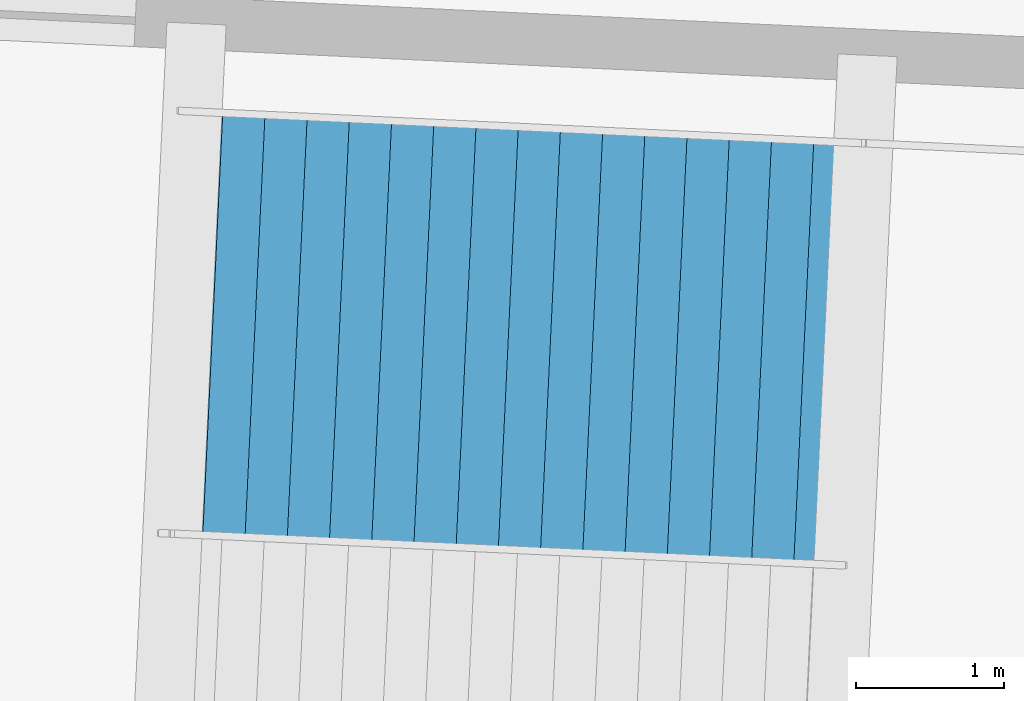
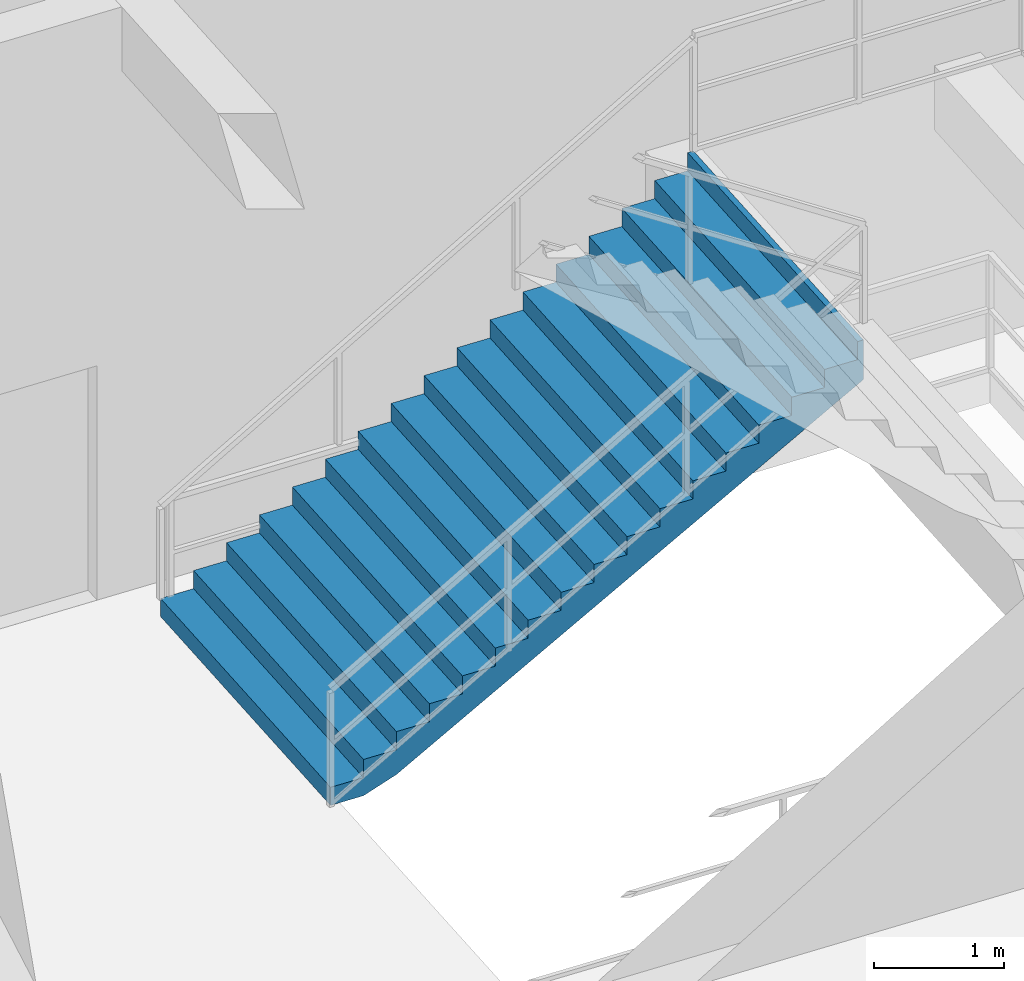
# One storey, part 24 of 48: 1 stair flight, 1 element without a shape of its own.
"""IFC4 building model written with IfcOpenShell, lengths in metres."""

from ifc_helpers import new_model, si_unit, direction, frame, origin, place, context, subcontext, project, spatial, polygons, material, type_object, element, aggregate, save


model = new_model("IFC4")

# Units and contexts
model_context = context("Model", 3, precision=1e-05, world=origin(), true_north=direction((0.0, 1.0)))
body_context = subcontext(model_context, "Body", "Model", "MODEL_VIEW")
ifc_project = project(units=[si_unit("LENGTHUNIT", "METRE"), si_unit("AREAUNIT", "SQUARE_METRE"), si_unit("VOLUMEUNIT", "CUBIC_METRE"), si_unit("PLANEANGLEUNIT", "RADIAN"), si_unit("MASSUNIT", "GRAM", prefix="KILO")], contexts=[model_context])

# Site, building, storey
site_placement = place(None, origin())
site = spatial("IfcSite", under=ifc_project, at=site_placement, CompositionType="ELEMENT")
building_placement = place(site_placement, origin())
building = spatial("IfcBuilding", under=site, at=building_placement, Name="Kazemori Nagisa Stadium", CompositionType="ELEMENT")
storey_placement = place(building_placement, origin())
storey = spatial("IfcBuildingStorey", under=building, at=storey_placement, Name="L00", CompositionType="ELEMENT", Elevation=0.0)

# Stair, stair flight
ifc_material = material(Name="Concrete C36/45 (Fc36)", Category="concrete")
stair_type = type_object("IfcStairType", Name="Stair_CORE_34", PredefinedType="TWO_STRAIGHT_RUN_STAIR", material=ifc_material)
stair_placement = place(storey_placement, origin())
stair = element("IfcStair", 1, at=stair_placement, inside=storey, type_object=stair_type, Name="Exit stair ST12 L00", PredefinedType="TWO_STRAIGHT_RUN_STAIR")
stair_flight_type = type_object("IfcStairFlightType", Name="Flight_CORE_17", PredefinedType="STRAIGHT", material=ifc_material)
stair_flight_placement = place(storey_placement, frame((107.177490234375, 24.015380859375, 0.0), z_axis=(0.0, 0.0, 1.0), x_axis=(0.998881904399, -0.047275163294, 0.0)))
stair_flight = element("IfcStairFlight", 2, at=stair_flight_placement, type_object=stair_flight_type, Name="Exit stair ST12 L00 flight 1", NumberOfRisers=17, NumberOfTreads=16, PredefinedType="STRAIGHT", RiserHeight=0.17, TreadLength=0.285, context=body_context, shape_type="Tessellation", body=[
    polygons([(0.0, -1.425048828125, 0.0), (0.0, -1.425048828125, 0.169921875), (0.284912109375, -1.425048828125, 0.169921875), (0.284912109375, -1.425048828125, 0.340087890625), (0.570068359375, -1.425048828125, 0.340087890625), (0.570068359375, -1.425048828125, 0.510009765625), (0.85498046875, -1.425048828125, 0.510009765625), (0.85498046875, -1.425048828125, 0.679931640625), (1.139892578125, -1.425048828125, 0.679931640625), (1.139892578125, -1.425048828125, 0.85009765625), (1.425048828125, -1.425048828125, 0.85009765625), (1.425048828125, -1.425048828125, 1.02001953125), (1.7099609375, -1.425048828125, 1.02001953125), (1.7099609375, -1.425048828125, 1.18994140625), (1.9951171875, -1.425048828125, 1.18994140625), (1.9951171875, -1.425048828125, 1.360107421875), (2.280029296875, -1.425048828125, 1.360107421875), (2.280029296875, -1.425048828125, 1.530029296875), (2.56494140625, -1.425048828125, 1.530029296875), (2.56494140625, -1.425048828125, 1.699951171875), (2.85009765625, -1.425048828125, 1.699951171875), (2.85009765625, -1.425048828125, 1.8701171875), (3.135009765625, -1.425048828125, 1.8701171875), (3.135009765625, -1.425048828125, 2.0400390625), (3.419921875, -1.425048828125, 2.0400390625), (3.419921875, -1.425048828125, 2.2099609375), (3.705078125, -1.425048828125, 2.2099609375), (3.705078125, -1.425048828125, 2.3798828125), (3.989990234375, -1.425048828125, 2.3798828125), (3.989990234375, -1.425048828125, 2.550048828125), (4.27490234375, -1.425048828125, 2.550048828125), (4.27490234375, -1.425048828125, 2.719970703125), (4.56005859375, -1.425048828125, 2.719970703125), (4.56005859375, -1.425048828125, 2.889892578125), (4.610107421875, -1.425048828125, 2.889892578125), (4.610107421875, -1.425048828125, 2.51708984375), (4.56005859375, -1.425048828125, 2.487060546875), (4.27490234375, -1.425048828125, 2.317138671875), (3.989990234375, -1.425048828125, 2.147216796875), (3.705078125, -1.425048828125, 1.977294921875), (3.419921875, -1.425048828125, 1.80712890625), (3.135009765625, -1.425048828125, 1.63720703125), (2.85009765625, -1.425048828125, 1.46728515625), (2.56494140625, -1.425048828125, 1.297119140625), (2.280029296875, -1.425048828125, 1.127197265625), (1.9951171875, -1.425048828125, 0.957275390625), (1.7099609375, -1.425048828125, 0.787109375), (1.425048828125, -1.425048828125, 0.6171875), (1.139892578125, -1.425048828125, 0.447265625), (0.85498046875, -1.425048828125, 0.277099609375), (0.570068359375, -1.425048828125, 0.107177734375), (0.284912109375, -1.425048828125, 0.0), (0.0, -0.08544921875, 0.0), (0.0, -0.08544921875, 0.169921875), (0.284912109375, -0.08544921875, 0.169921875), (0.284912109375, -0.08544921875, 0.340087890625), (0.570068359375, -0.08544921875, 0.340087890625), (0.570068359375, -0.08544921875, 0.510009765625), (0.85498046875, -0.08544921875, 0.510009765625), (0.85498046875, -0.08544921875, 0.679931640625), (1.139892578125, -0.08544921875, 0.679931640625), (1.139892578125, -0.08544921875, 0.85009765625), (1.425048828125, -0.08544921875, 0.85009765625), (1.425048828125, -0.08544921875, 1.02001953125), (1.7099609375, -0.08544921875, 1.02001953125), (1.7099609375, -0.08544921875, 1.18994140625), (1.9951171875, -0.08544921875, 1.18994140625), (1.9951171875, -0.08544921875, 1.360107421875), (2.280029296875, -0.08544921875, 1.360107421875), (2.280029296875, -0.08544921875, 1.530029296875), (2.56494140625, -0.08544921875, 1.530029296875), (2.56494140625, -0.08544921875, 1.699951171875), (2.85009765625, -0.08544921875, 1.699951171875), (2.85009765625, -0.08544921875, 1.8701171875), (3.135009765625, -0.08544921875, 1.8701171875), (3.135009765625, -0.08544921875, 2.0400390625), (3.419921875, -0.08544921875, 2.0400390625), (3.419921875, -0.08544921875, 2.2099609375), (3.705078125, -0.08544921875, 2.2099609375), (3.705078125, -0.08544921875, 2.3798828125), (3.989990234375, -0.08544921875, 2.3798828125), (3.989990234375, -0.08544921875, 2.550048828125), (4.27490234375, -0.08544921875, 2.550048828125), (4.27490234375, -0.08544921875, 2.719970703125), (4.56005859375, -0.08544921875, 2.719970703125), (4.56005859375, -0.08544921875, 2.889892578125), (4.610107421875, -0.08544921875, 2.889892578125), (4.610107421875, -0.08544921875, 2.51708984375), (4.56005859375, -0.08544921875, 2.487060546875), (4.27490234375, -0.08544921875, 2.317138671875), (3.989990234375, -0.08544921875, 2.147216796875), (3.705078125, -0.08544921875, 1.977294921875), (3.419921875, -0.08544921875, 1.80712890625), (3.135009765625, -0.08544921875, 1.63720703125), (2.85009765625, -0.08544921875, 1.46728515625), (2.56494140625, -0.08544921875, 1.297119140625), (2.280029296875, -0.08544921875, 1.127197265625), (1.9951171875, -0.08544921875, 0.957275390625), (1.7099609375, -0.08544921875, 0.787109375), (1.425048828125, -0.08544921875, 0.6171875), (1.139892578125, -0.08544921875, 0.447265625), (0.85498046875, -0.08544921875, 0.277099609375), (0.570068359375, -0.08544921875, 0.107177734375), (0.284912109375, -0.08544921875, 0.0), (0.0, 0.0, 0.0), (0.0, 0.0, 0.169921875), (0.284912109375, 0.0, 0.169921875), (0.284912109375, 0.0, 0.340087890625), (0.570068359375, 0.0, 0.340087890625), (0.570068359375, 0.0, 0.510009765625), (0.85498046875, 0.0, 0.510009765625), (0.85498046875, 0.0, 0.679931640625), (1.139892578125, 0.0, 0.679931640625), (1.139892578125, 0.0, 0.85009765625), (1.425048828125, 0.0, 0.85009765625), (1.425048828125, 0.0, 1.02001953125), (1.7099609375, 0.0, 1.02001953125), (1.7099609375, 0.0, 1.18994140625), (1.9951171875, 0.0, 1.18994140625), (1.9951171875, 0.0, 1.360107421875), (2.280029296875, 0.0, 1.360107421875), (2.280029296875, 0.0, 1.530029296875), (2.56494140625, 0.0, 1.530029296875), (2.56494140625, 0.0, 1.699951171875), (2.85009765625, 0.0, 1.699951171875), (2.85009765625, 0.0, 1.8701171875), (3.135009765625, 0.0, 1.8701171875), (3.135009765625, 0.0, 2.0400390625), (3.419921875, 0.0, 2.0400390625), (3.419921875, 0.0, 2.2099609375), (3.705078125, 0.0, 2.2099609375), (3.705078125, 0.0, 2.3798828125), (3.989990234375, 0.0, 2.3798828125), (3.989990234375, 0.0, 2.550048828125), (4.27490234375, 0.0, 2.550048828125), (4.27490234375, 0.0, 2.719970703125), (4.56005859375, 0.0, 2.719970703125), (4.56005859375, 0.0, 2.889892578125), (4.610107421875, 0.0, 2.889892578125), (4.610107421875, 0.0, 2.51708984375), (4.56005859375, 0.0, 2.487060546875), (4.27490234375, 0.0, 2.317138671875), (3.989990234375, 0.0, 2.147216796875), (3.705078125, 0.0, 1.977294921875), (3.419921875, 0.0, 1.80712890625), (3.135009765625, 0.0, 1.63720703125), (2.85009765625, 0.0, 1.46728515625), (2.56494140625, 0.0, 1.297119140625), (2.280029296875, 0.0, 1.127197265625), (1.9951171875, 0.0, 0.957275390625), (1.7099609375, 0.0, 0.787109375), (1.425048828125, 0.0, 0.6171875), (1.139892578125, 0.0, 0.447265625), (0.85498046875, 0.0, 0.277099609375), (0.570068359375, 0.0, 0.107177734375), (0.284912109375, 0.0, 0.0), (0.0, 0.08544921875, 0.0), (0.0, 0.08544921875, 0.169921875), (0.284912109375, 0.08544921875, 0.169921875), (0.284912109375, 0.08544921875, 0.340087890625), (0.570068359375, 0.08544921875, 0.340087890625), (0.570068359375, 0.08544921875, 0.510009765625), (0.85498046875, 0.08544921875, 0.510009765625), (0.85498046875, 0.08544921875, 0.679931640625), (1.139892578125, 0.08544921875, 0.679931640625), (1.139892578125, 0.08544921875, 0.85009765625), (1.425048828125, 0.08544921875, 0.85009765625), (1.425048828125, 0.08544921875, 1.02001953125), (1.7099609375, 0.08544921875, 1.02001953125), (1.7099609375, 0.08544921875, 1.18994140625), (1.9951171875, 0.08544921875, 1.18994140625), (1.9951171875, 0.08544921875, 1.360107421875), (2.280029296875, 0.08544921875, 1.360107421875), (2.280029296875, 0.08544921875, 1.530029296875), (2.56494140625, 0.08544921875, 1.530029296875), (2.56494140625, 0.08544921875, 1.699951171875), (2.85009765625, 0.08544921875, 1.699951171875), (2.85009765625, 0.08544921875, 1.8701171875), (3.135009765625, 0.08544921875, 1.8701171875), (3.135009765625, 0.08544921875, 2.0400390625), (3.419921875, 0.08544921875, 2.0400390625), (3.419921875, 0.08544921875, 2.2099609375), (3.705078125, 0.08544921875, 2.2099609375), (3.705078125, 0.08544921875, 2.3798828125), (3.989990234375, 0.08544921875, 2.3798828125), (3.989990234375, 0.08544921875, 2.550048828125), (4.27490234375, 0.08544921875, 2.550048828125), (4.27490234375, 0.08544921875, 2.719970703125), (4.56005859375, 0.08544921875, 2.719970703125), (4.56005859375, 0.08544921875, 2.889892578125), (4.610107421875, 0.08544921875, 2.889892578125), (4.610107421875, 0.08544921875, 2.51708984375), (4.56005859375, 0.08544921875, 2.487060546875), (4.27490234375, 0.08544921875, 2.317138671875), (3.989990234375, 0.08544921875, 2.147216796875), (3.705078125, 0.08544921875, 1.977294921875), (3.419921875, 0.08544921875, 1.80712890625), (3.135009765625, 0.08544921875, 1.63720703125), (2.85009765625, 0.08544921875, 1.46728515625), (2.56494140625, 0.08544921875, 1.297119140625), (2.280029296875, 0.08544921875, 1.127197265625), (1.9951171875, 0.08544921875, 0.957275390625), (1.7099609375, 0.08544921875, 0.787109375), (1.425048828125, 0.08544921875, 0.6171875), (1.139892578125, 0.08544921875, 0.447265625), (0.85498046875, 0.08544921875, 0.277099609375), (0.570068359375, 0.08544921875, 0.107177734375), (0.284912109375, 0.08544921875, 0.0), (0.0, 1.425048828125, 0.0), (0.0, 1.425048828125, 0.169921875), (0.284912109375, 1.425048828125, 0.169921875), (0.284912109375, 1.425048828125, 0.340087890625), (0.570068359375, 1.425048828125, 0.340087890625), (0.570068359375, 1.425048828125, 0.510009765625), (0.85498046875, 1.425048828125, 0.510009765625), (0.85498046875, 1.425048828125, 0.679931640625), (1.139892578125, 1.425048828125, 0.679931640625), (1.139892578125, 1.425048828125, 0.85009765625), (1.425048828125, 1.425048828125, 0.85009765625), (1.425048828125, 1.425048828125, 1.02001953125), (1.7099609375, 1.425048828125, 1.02001953125), (1.7099609375, 1.425048828125, 1.18994140625), (1.9951171875, 1.425048828125, 1.18994140625), (1.9951171875, 1.425048828125, 1.360107421875), (2.280029296875, 1.425048828125, 1.360107421875), (2.280029296875, 1.425048828125, 1.530029296875), (2.56494140625, 1.425048828125, 1.530029296875), (2.56494140625, 1.425048828125, 1.699951171875), (2.85009765625, 1.425048828125, 1.699951171875), (2.85009765625, 1.425048828125, 1.8701171875), (3.135009765625, 1.425048828125, 1.8701171875), (3.135009765625, 1.425048828125, 2.0400390625), (3.419921875, 1.425048828125, 2.0400390625), (3.419921875, 1.425048828125, 2.2099609375), (3.705078125, 1.425048828125, 2.2099609375), (3.705078125, 1.425048828125, 2.3798828125), (3.989990234375, 1.425048828125, 2.3798828125), (3.989990234375, 1.425048828125, 2.550048828125), (4.27490234375, 1.425048828125, 2.550048828125), (4.27490234375, 1.425048828125, 2.719970703125), (4.56005859375, 1.425048828125, 2.719970703125), (4.56005859375, 1.425048828125, 2.889892578125), (4.610107421875, 1.425048828125, 2.889892578125), (4.610107421875, 1.425048828125, 2.51708984375), (4.56005859375, 1.425048828125, 2.487060546875), (4.27490234375, 1.425048828125, 2.317138671875), (3.989990234375, 1.425048828125, 2.147216796875), (3.705078125, 1.425048828125, 1.977294921875), (3.419921875, 1.425048828125, 1.80712890625), (3.135009765625, 1.425048828125, 1.63720703125), (2.85009765625, 1.425048828125, 1.46728515625), (2.56494140625, 1.425048828125, 1.297119140625), (2.280029296875, 1.425048828125, 1.127197265625), (1.9951171875, 1.425048828125, 0.957275390625), (1.7099609375, 1.425048828125, 0.787109375), (1.425048828125, 1.425048828125, 0.6171875), (1.139892578125, 1.425048828125, 0.447265625), (0.85498046875, 1.425048828125, 0.277099609375), (0.570068359375, 1.425048828125, 0.107177734375), (0.284912109375, 1.425048828125, 0.0)], [[[1, 2, 54]], [[1, 54, 53]], [[2, 3, 55]], [[2, 55, 54]], [[3, 4, 56]], [[3, 56, 55]], [[4, 5, 57]], [[4, 57, 56]], [[5, 6, 58]], [[5, 58, 57]], [[6, 7, 59]], [[6, 59, 58]], [[7, 8, 60]], [[7, 60, 59]], [[8, 9, 61]], [[8, 61, 60]], [[9, 10, 62]], [[9, 62, 61]], [[10, 11, 63]], [[10, 63, 62]], [[11, 12, 64]], [[11, 64, 63]], [[12, 13, 65]], [[12, 65, 64]], [[13, 14, 66]], [[13, 66, 65]], [[14, 15, 67]], [[14, 67, 66]], [[15, 16, 68]], [[15, 68, 67]], [[16, 17, 69]], [[16, 69, 68]], [[17, 18, 70]], [[17, 70, 69]], [[18, 19, 71]], [[18, 71, 70]], [[19, 20, 72]], [[19, 72, 71]], [[20, 21, 73]], [[20, 73, 72]], [[21, 22, 74]], [[21, 74, 73]], [[22, 23, 75]], [[22, 75, 74]], [[23, 24, 76]], [[23, 76, 75]], [[24, 25, 77]], [[24, 77, 76]], [[25, 26, 78]], [[25, 78, 77]], [[26, 27, 79]], [[26, 79, 78]], [[27, 28, 80]], [[27, 80, 79]], [[28, 29, 81]], [[28, 81, 80]], [[29, 30, 82]], [[29, 82, 81]], [[30, 31, 83]], [[30, 83, 82]], [[31, 32, 84]], [[31, 84, 83]], [[32, 33, 85]], [[32, 85, 84]], [[33, 34, 86]], [[33, 86, 85]], [[34, 35, 87]], [[34, 87, 86]], [[35, 36, 88]], [[35, 88, 87]], [[36, 37, 89]], [[36, 89, 88]], [[37, 38, 90]], [[37, 90, 89]], [[38, 39, 91]], [[38, 91, 90]], [[39, 40, 92]], [[39, 92, 91]], [[40, 41, 93]], [[40, 93, 92]], [[41, 42, 94]], [[41, 94, 93]], [[42, 43, 95]], [[42, 95, 94]], [[43, 44, 96]], [[43, 96, 95]], [[44, 45, 97]], [[44, 97, 96]], [[45, 46, 98]], [[45, 98, 97]], [[46, 47, 99]], [[46, 99, 98]], [[47, 48, 100]], [[47, 100, 99]], [[48, 49, 101]], [[48, 101, 100]], [[49, 50, 102]], [[49, 102, 101]], [[50, 51, 103]], [[50, 103, 102]], [[51, 52, 104]], [[51, 104, 103]], [[52, 1, 53]], [[52, 53, 104]], [[53, 54, 106]], [[53, 106, 105]], [[54, 55, 107]], [[54, 107, 106]], [[55, 56, 108]], [[55, 108, 107]], [[56, 57, 109]], [[56, 109, 108]], [[57, 58, 110]], [[57, 110, 109]], [[58, 59, 111]], [[58, 111, 110]], [[59, 60, 112]], [[59, 112, 111]], [[60, 61, 113]], [[60, 113, 112]], [[61, 62, 114]], [[61, 114, 113]], [[62, 63, 115]], [[62, 115, 114]], [[63, 64, 116]], [[63, 116, 115]], [[64, 65, 117]], [[64, 117, 116]], [[65, 66, 118]], [[65, 118, 117]], [[66, 67, 119]], [[66, 119, 118]], [[67, 68, 120]], [[67, 120, 119]], [[68, 69, 121]], [[68, 121, 120]], [[69, 70, 122]], [[69, 122, 121]], [[70, 71, 123]], [[70, 123, 122]], [[71, 72, 124]], [[71, 124, 123]], [[72, 73, 125]], [[72, 125, 124]], [[73, 74, 126]], [[73, 126, 125]], [[74, 75, 127]], [[74, 127, 126]], [[75, 76, 128]], [[75, 128, 127]], [[76, 77, 129]], [[76, 129, 128]], [[77, 78, 130]], [[77, 130, 129]], [[78, 79, 131]], [[78, 131, 130]], [[79, 80, 132]], [[79, 132, 131]], [[80, 81, 133]], [[80, 133, 132]], [[81, 82, 134]], [[81, 134, 133]], [[82, 83, 135]], [[82, 135, 134]], [[83, 84, 136]], [[83, 136, 135]], [[84, 85, 137]], [[84, 137, 136]], [[85, 86, 138]], [[85, 138, 137]], [[86, 87, 139]], [[86, 139, 138]], [[87, 88, 140]], [[87, 140, 139]], [[88, 89, 141]], [[88, 141, 140]], [[89, 90, 142]], [[89, 142, 141]], [[90, 91, 143]], [[90, 143, 142]], [[91, 92, 144]], [[91, 144, 143]], [[92, 93, 145]], [[92, 145, 144]], [[93, 94, 146]], [[93, 146, 145]], [[94, 95, 147]], [[94, 147, 146]], [[95, 96, 148]], [[95, 148, 147]], [[96, 97, 149]], [[96, 149, 148]], [[97, 98, 150]], [[97, 150, 149]], [[98, 99, 151]], [[98, 151, 150]], [[99, 100, 152]], [[99, 152, 151]], [[100, 101, 153]], [[100, 153, 152]], [[101, 102, 154]], [[101, 154, 153]], [[102, 103, 155]], [[102, 155, 154]], [[103, 104, 156]], [[103, 156, 155]], [[104, 53, 105]], [[104, 105, 156]], [[105, 106, 158]], [[105, 158, 157]], [[106, 107, 159]], [[106, 159, 158]], [[107, 108, 160]], [[107, 160, 159]], [[108, 109, 161]], [[108, 161, 160]], [[109, 110, 162]], [[109, 162, 161]], [[110, 111, 163]], [[110, 163, 162]], [[111, 112, 164]], [[111, 164, 163]], [[112, 113, 165]], [[112, 165, 164]], [[113, 114, 166]], [[113, 166, 165]], [[114, 115, 167]], [[114, 167, 166]], [[115, 116, 168]], [[115, 168, 167]], [[116, 117, 169]], [[116, 169, 168]], [[117, 118, 170]], [[117, 170, 169]], [[118, 119, 171]], [[118, 171, 170]], [[119, 120, 172]], [[119, 172, 171]], [[120, 121, 173]], [[120, 173, 172]], [[121, 122, 174]], [[121, 174, 173]], [[122, 123, 175]], [[122, 175, 174]], [[123, 124, 176]], [[123, 176, 175]], [[124, 125, 177]], [[124, 177, 176]], [[125, 126, 178]], [[125, 178, 177]], [[126, 127, 179]], [[126, 179, 178]], [[127, 128, 180]], [[127, 180, 179]], [[128, 129, 181]], [[128, 181, 180]], [[129, 130, 182]], [[129, 182, 181]], [[130, 131, 183]], [[130, 183, 182]], [[131, 132, 184]], [[131, 184, 183]], [[132, 133, 185]], [[132, 185, 184]], [[133, 134, 186]], [[133, 186, 185]], [[134, 135, 187]], [[134, 187, 186]], [[135, 136, 188]], [[135, 188, 187]], [[136, 137, 189]], [[136, 189, 188]], [[137, 138, 190]], [[137, 190, 189]], [[138, 139, 191]], [[138, 191, 190]], [[139, 140, 192]], [[139, 192, 191]], [[140, 141, 193]], [[140, 193, 192]], [[141, 142, 194]], [[141, 194, 193]], [[142, 143, 195]], [[142, 195, 194]], [[143, 144, 196]], [[143, 196, 195]], [[144, 145, 197]], [[144, 197, 196]], [[145, 146, 198]], [[145, 198, 197]], [[146, 147, 199]], [[146, 199, 198]], [[147, 148, 200]], [[147, 200, 199]], [[148, 149, 201]], [[148, 201, 200]], [[149, 150, 202]], [[149, 202, 201]], [[150, 151, 203]], [[150, 203, 202]], [[151, 152, 204]], [[151, 204, 203]], [[152, 153, 205]], [[152, 205, 204]], [[153, 154, 206]], [[153, 206, 205]], [[154, 155, 207]], [[154, 207, 206]], [[155, 156, 208]], [[155, 208, 207]], [[156, 105, 157]], [[156, 157, 208]], [[157, 158, 210]], [[157, 210, 209]], [[158, 159, 211]], [[158, 211, 210]], [[159, 160, 212]], [[159, 212, 211]], [[160, 161, 213]], [[160, 213, 212]], [[161, 162, 214]], [[161, 214, 213]], [[162, 163, 215]], [[162, 215, 214]], [[163, 164, 216]], [[163, 216, 215]], [[164, 165, 217]], [[164, 217, 216]], [[165, 166, 218]], [[165, 218, 217]], [[166, 167, 219]], [[166, 219, 218]], [[167, 168, 220]], [[167, 220, 219]], [[168, 169, 221]], [[168, 221, 220]], [[169, 170, 222]], [[169, 222, 221]], [[170, 171, 223]], [[170, 223, 222]], [[171, 172, 224]], [[171, 224, 223]], [[172, 173, 225]], [[172, 225, 224]], [[173, 174, 226]], [[173, 226, 225]], [[174, 175, 227]], [[174, 227, 226]], [[175, 176, 228]], [[175, 228, 227]], [[176, 177, 229]], [[176, 229, 228]], [[177, 178, 230]], [[177, 230, 229]], [[178, 179, 231]], [[178, 231, 230]], [[179, 180, 232]], [[179, 232, 231]], [[180, 181, 233]], [[180, 233, 232]], [[181, 182, 234]], [[181, 234, 233]], [[182, 183, 235]], [[182, 235, 234]], [[183, 184, 236]], [[183, 236, 235]], [[184, 185, 237]], [[184, 237, 236]], [[185, 186, 238]], [[185, 238, 237]], [[186, 187, 239]], [[186, 239, 238]], [[187, 188, 240]], [[187, 240, 239]], [[188, 189, 241]], [[188, 241, 240]], [[189, 190, 242]], [[189, 242, 241]], [[190, 191, 243]], [[190, 243, 242]], [[191, 192, 244]], [[191, 244, 243]], [[192, 193, 245]], [[192, 245, 244]], [[193, 194, 246]], [[193, 246, 245]], [[194, 195, 247]], [[194, 247, 246]], [[195, 196, 248]], [[195, 248, 247]], [[196, 197, 249]], [[196, 249, 248]], [[197, 198, 250]], [[197, 250, 249]], [[198, 199, 251]], [[198, 251, 250]], [[199, 200, 252]], [[199, 252, 251]], [[200, 201, 253]], [[200, 253, 252]], [[201, 202, 254]], [[201, 254, 253]], [[202, 203, 255]], [[202, 255, 254]], [[203, 204, 256]], [[203, 256, 255]], [[204, 205, 257]], [[204, 257, 256]], [[205, 206, 258]], [[205, 258, 257]], [[206, 207, 259]], [[206, 259, 258]], [[207, 208, 260]], [[207, 260, 259]], [[208, 157, 209]], [[208, 209, 260]], [[3, 2, 1]], [[209, 210, 211]], [[52, 3, 1]], [[209, 211, 260]], [[51, 3, 52]], [[260, 211, 259]], [[5, 3, 51]], [[259, 211, 213]], [[5, 4, 3]], [[211, 212, 213]], [[50, 5, 51]], [[259, 213, 258]], [[7, 5, 50]], [[258, 213, 215]], [[7, 6, 5]], [[213, 214, 215]], [[49, 7, 50]], [[258, 215, 257]], [[9, 7, 49]], [[257, 215, 217]], [[9, 8, 7]], [[215, 216, 217]], [[48, 9, 49]], [[257, 217, 256]], [[11, 9, 48]], [[256, 217, 219]], [[11, 10, 9]], [[217, 218, 219]], [[47, 11, 48]], [[256, 219, 255]], [[13, 11, 47]], [[255, 219, 221]], [[13, 12, 11]], [[219, 220, 221]], [[46, 13, 47]], [[255, 221, 254]], [[15, 13, 46]], [[254, 221, 223]], [[15, 14, 13]], [[221, 222, 223]], [[45, 15, 46]], [[254, 223, 253]], [[17, 15, 45]], [[253, 223, 225]], [[17, 16, 15]], [[223, 224, 225]], [[44, 17, 45]], [[253, 225, 252]], [[19, 17, 44]], [[252, 225, 227]], [[19, 18, 17]], [[225, 226, 227]], [[43, 19, 44]], [[252, 227, 251]], [[21, 19, 43]], [[251, 227, 229]], [[21, 20, 19]], [[227, 228, 229]], [[42, 21, 43]], [[251, 229, 250]], [[23, 21, 42]], [[250, 229, 231]], [[23, 22, 21]], [[229, 230, 231]], [[41, 23, 42]], [[250, 231, 249]], [[25, 23, 41]], [[249, 231, 233]], [[25, 24, 23]], [[231, 232, 233]], [[40, 25, 41]], [[249, 233, 248]], [[27, 25, 40]], [[248, 233, 235]], [[27, 26, 25]], [[233, 234, 235]], [[39, 27, 40]], [[248, 235, 247]], [[29, 27, 39]], [[247, 235, 237]], [[29, 28, 27]], [[235, 236, 237]], [[38, 29, 39]], [[247, 237, 246]], [[31, 29, 38]], [[246, 237, 239]], [[31, 30, 29]], [[237, 238, 239]], [[37, 31, 38]], [[246, 239, 245]], [[33, 31, 37]], [[245, 239, 241]], [[33, 32, 31]], [[239, 240, 241]], [[36, 33, 37]], [[245, 241, 244]], [[35, 33, 36]], [[244, 241, 243]], [[35, 34, 33]], [[241, 242, 243]]], closed=True),
])
aggregate(stair, [stair_flight])

save(model, "model.ifc")
